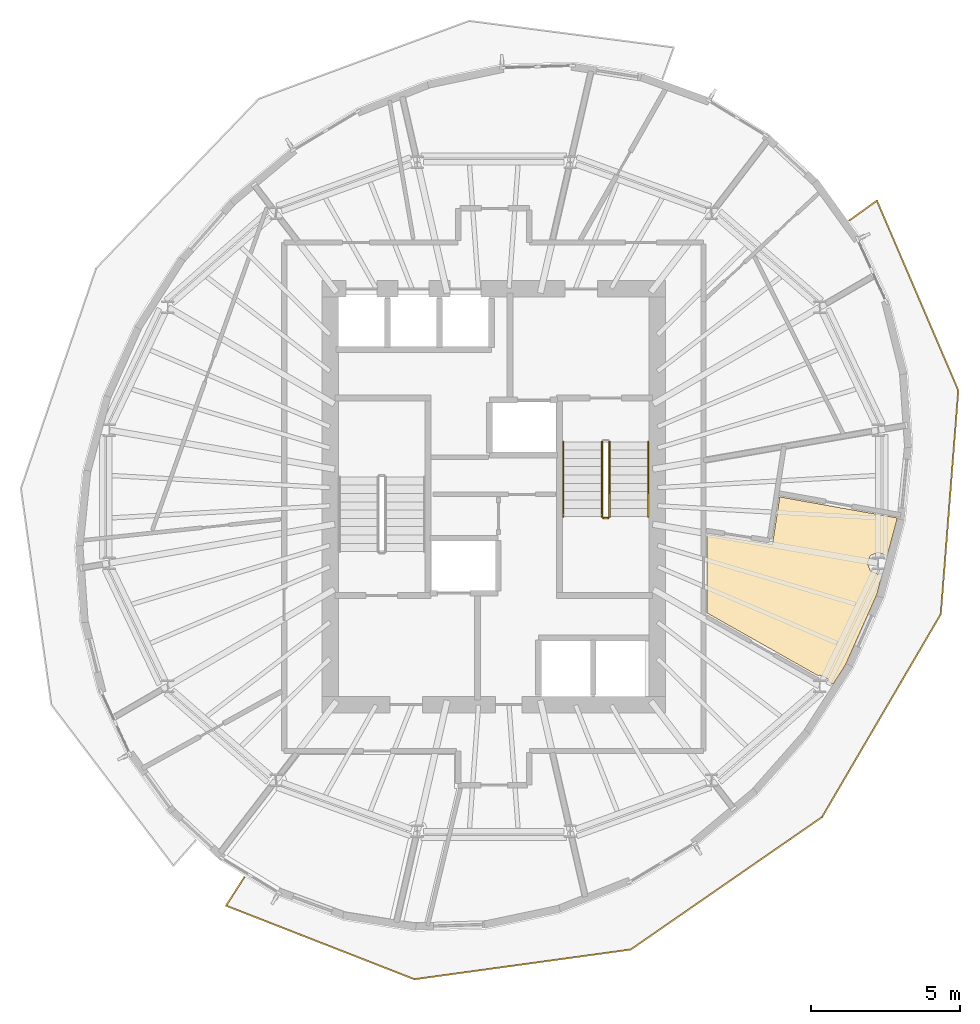
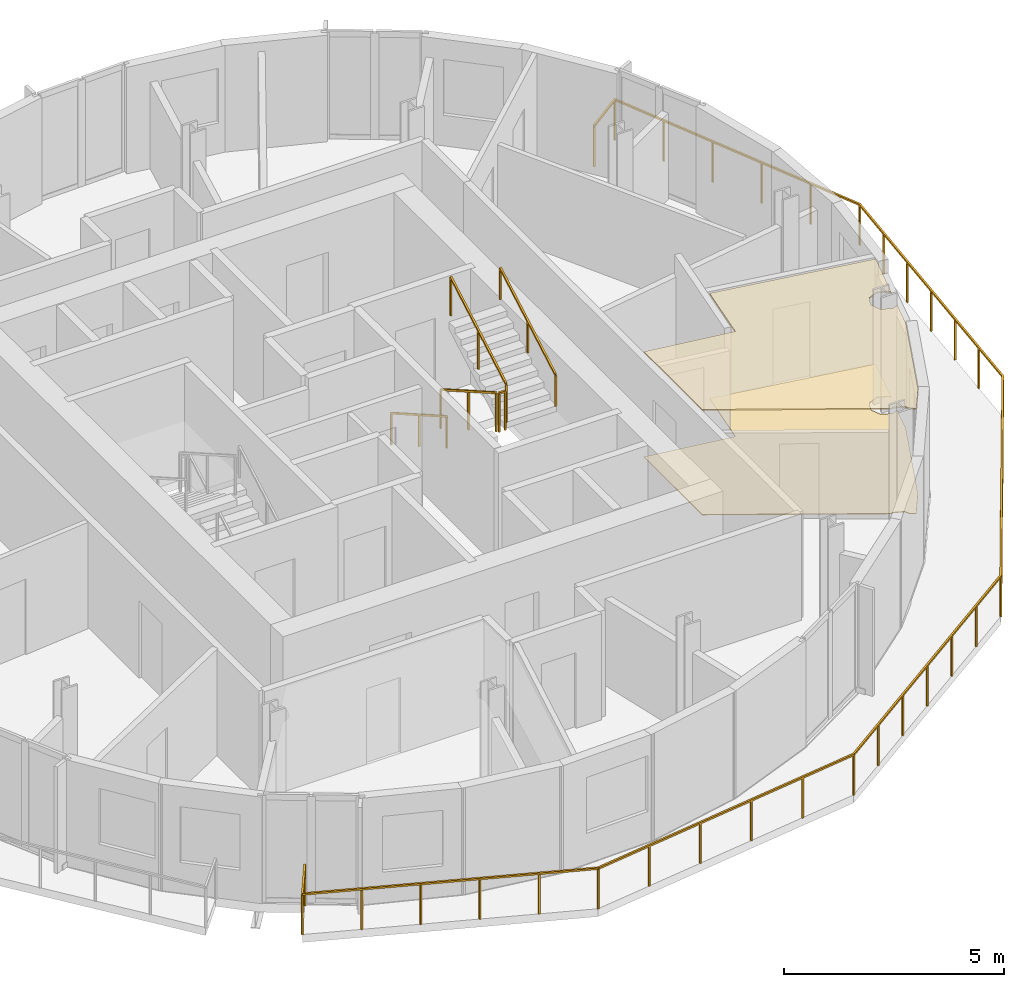
# One storey, part 9 of 11: 6 railings, 2 coverings.
"""IFC4 building model written with IfcOpenShell, lengths in metres."""

from ifc_helpers import new_model, si_unit, direction, frame, origin, origin_2d, place, context, subcontext, project, spatial, polyline, rectangle, outline, extrude, material, layer, layer_set, type_object, element, save


model = new_model("IFC4")

# Units and contexts
model_context = context("Model", 3, precision=1e-05, world=origin(), true_north=direction((0.0, 1.0)))
body_context = subcontext(model_context, "Body", "Model", "MODEL_VIEW")
ifc_project = project(units=[si_unit("LENGTHUNIT", "METRE"), si_unit("AREAUNIT", "SQUARE_METRE"), si_unit("VOLUMEUNIT", "CUBIC_METRE"), si_unit("PLANEANGLEUNIT", "RADIAN"), si_unit("MASSUNIT", "GRAM", prefix="KILO")], contexts=[model_context])

# Site, building, storey
site_placement = place(None, origin())
site = spatial("IfcSite", under=ifc_project, at=site_placement, CompositionType="ELEMENT")
building_placement = place(site_placement, origin())
building = spatial("IfcBuilding", under=site, at=building_placement, Name="Veldorim Arch Residences", CompositionType="ELEMENT")
storey_placement = place(building_placement, frame((0.0, 0.0, 214.239990234375)))
storey = spatial("IfcBuildingStorey", under=building, at=storey_placement, Name="L64", CompositionType="ELEMENT", Elevation=214.239990234375)

# Railings
ifc_material_1 = material(Name="Aluminium", Category="aluminium")
railing_type_1 = type_object("IfcRailingType", Name="Balcony & Terrace Laminated Glass Balustrade 1150", PredefinedType="BALUSTRADE", material=ifc_material_1)
railing_1_placement = place(storey_placement, frame((23.605712890625, 11.197509765625, 0.0)))
element("IfcRailing", 1, at=railing_1_placement, inside=storey, type_object=railing_type_1, Name="L64 crescent balcony safety balustrade B", PredefinedType="BALUSTRADE", context=body_context, shape_type="SweptSolid", body=[
    extrude(rectangle(XDim=0.048095703125, YDim=0.048095703125, at=origin_2d()), frame((0.0, 0.0, 1.1259765625), z_axis=(-0.539866721339, -0.84175051125, 0.0), x_axis=(0.84175051125, -0.539866721339, 0.0)), (0.0, 0.0, 1.0), 1.14990234375),
    extrude(rectangle(XDim=0.048095703125, YDim=0.048095703125, at=origin_2d()), frame((-0.620849609375, -0.968017578125, 1.1259765625), z_axis=(0.931436271677, -0.363904481705, 0.0), x_axis=(0.363904481705, 0.931436271677, 0.0)), (0.0, 0.0, 1.0), 6.808837890625),
    extrude(rectangle(XDim=0.048095703125, YDim=0.048095703125, at=origin_2d()), frame((5.72119140625, -3.44580078125, 1.1259765625), z_axis=(0.990686843164, 0.136160121847, 0.0), x_axis=(-0.136160121847, 0.990686843164, 0.0)), (0.0, 0.0, 1.0), 7.35693359375),
    extrude(rectangle(XDim=0.048095703125, YDim=0.048095703125, at=origin_2d()), frame((13.009521484375, -2.444091796875, 1.1259765625), z_axis=(0.822191069367, 0.569211599893, 0.0), x_axis=(-0.569211599893, 0.822191069367, 0.0)), (0.0, 0.0, 1.0), 7.83154296875),
    extrude(rectangle(XDim=0.048095703125, YDim=0.048095703125, at=origin_2d()), frame((19.448486328125, 2.013671875, 1.1259765625), z_axis=(0.505007263039, 0.863115093297, 0.0), x_axis=(-0.863115093297, 0.505007263039, 0.0)), (0.0, 0.0, 1.0), 7.919189453125),
    extrude(rectangle(XDim=0.048095703125, YDim=0.048095703125, at=origin_2d()), frame((23.44775390625, 8.848876953125, 1.1259765625), z_axis=(0.078070336252, 0.9969478535, 0.0), x_axis=(-0.9969478535, 0.078070336252, 0.0)), (0.0, 0.0, 1.0), 7.55517578125),
    extrude(rectangle(XDim=0.048095703125, YDim=0.048095703125, at=origin_2d()), frame((24.03759765625, 16.381103515625, 1.1259765625), z_axis=(-0.39431319437, 0.918976117614, 0.0), x_axis=(-0.918976117614, -0.39431319437, 0.0)), (0.0, 0.0, 1.0), 6.956298828125),
    extrude(rectangle(XDim=0.048095703125, YDim=0.048095703125, at=origin_2d()), frame((21.294677734375, 22.773681640625, 1.1259765625), z_axis=(-0.811965053518, -0.583706049194, 0.0), x_axis=(0.583706049194, -0.811965053518, 0.0)), (0.0, 0.0, 1.0), 1.14990234375),
    extrude(rectangle(XDim=0.0419921875, YDim=0.0419921875, at=origin_2d()), origin(), (0.0, 0.0, 1.0), 1.101806640625),
    extrude(rectangle(XDim=0.0419921875, YDim=0.0419921875, at=origin_2d()), frame((-0.620849609375, -0.968017578125, 0.0)), (0.0, 0.0, 1.0), 1.101806640625),
    extrude(rectangle(XDim=0.0419921875, YDim=0.0419921875, at=origin_2d()), frame((0.6474609375, -1.463623046875, 0.0)), (0.0, 0.0, 1.0), 1.101806640625),
    extrude(rectangle(XDim=0.0419921875, YDim=0.0419921875, at=origin_2d()), frame((1.916015625, -1.959228515625, 0.0)), (0.0, 0.0, 1.0), 1.101806640625),
    extrude(rectangle(XDim=0.0419921875, YDim=0.0419921875, at=origin_2d()), frame((3.184326171875, -2.45458984375, 0.0)), (0.0, 0.0, 1.0), 1.101806640625),
    extrude(rectangle(XDim=0.0419921875, YDim=0.0419921875, at=origin_2d()), frame((4.452880859375, -2.9501953125, 0.0)), (0.0, 0.0, 1.0), 1.101806640625),
    extrude(rectangle(XDim=0.0419921875, YDim=0.0419921875, at=origin_2d()), frame((5.72119140625, -3.44580078125, 0.0)), (0.0, 0.0, 1.0), 1.101806640625),
    extrude(rectangle(XDim=0.0419921875, YDim=0.0419921875, at=origin_2d()), frame((7.178955078125, -3.245361328125, 0.0)), (0.0, 0.0, 1.0), 1.101806640625),
    extrude(rectangle(XDim=0.0419921875, YDim=0.0419921875, at=origin_2d()), frame((8.636474609375, -3.045166015625, 0.0)), (0.0, 0.0, 1.0), 1.101806640625),
    extrude(rectangle(XDim=0.0419921875, YDim=0.0419921875, at=origin_2d()), frame((10.09423828125, -2.8447265625, 0.0)), (0.0, 0.0, 1.0), 1.101806640625),
    extrude(rectangle(XDim=0.0419921875, YDim=0.0419921875, at=origin_2d()), frame((11.5517578125, -2.64453125, 0.0)), (0.0, 0.0, 1.0), 1.101806640625),
    extrude(rectangle(XDim=0.0419921875, YDim=0.0419921875, at=origin_2d()), frame((13.009521484375, -2.444091796875, 0.0)), (0.0, 0.0, 1.0), 1.101806640625),
    extrude(rectangle(XDim=0.0419921875, YDim=0.0419921875, at=origin_2d()), frame((14.082763671875, -1.701171875, 0.0)), (0.0, 0.0, 1.0), 1.101806640625),
    extrude(rectangle(XDim=0.0419921875, YDim=0.0419921875, at=origin_2d()), frame((15.15576171875, -0.958251953125, 0.0)), (0.0, 0.0, 1.0), 1.101806640625),
    extrude(rectangle(XDim=0.0419921875, YDim=0.0419921875, at=origin_2d()), frame((16.22900390625, -0.21533203125, 0.0)), (0.0, 0.0, 1.0), 1.101806640625),
    extrude(rectangle(XDim=0.0419921875, YDim=0.0419921875, at=origin_2d()), frame((17.30224609375, 0.52783203125, 0.0)), (0.0, 0.0, 1.0), 1.101806640625),
    extrude(rectangle(XDim=0.0419921875, YDim=0.0419921875, at=origin_2d()), frame((18.375244140625, 1.270751953125, 0.0)), (0.0, 0.0, 1.0), 1.101806640625),
    extrude(rectangle(XDim=0.0419921875, YDim=0.0419921875, at=origin_2d()), frame((19.448486328125, 2.013671875, 0.0)), (0.0, 0.0, 1.0), 1.101806640625),
    extrude(rectangle(XDim=0.0419921875, YDim=0.0419921875, at=origin_2d()), frame((20.114990234375, 3.15283203125, 0.0)), (0.0, 0.0, 1.0), 1.101806640625),
    extrude(rectangle(XDim=0.0419921875, YDim=0.0419921875, at=origin_2d()), frame((20.781494140625, 4.2919921875, 0.0)), (0.0, 0.0, 1.0), 1.101806640625),
    extrude(rectangle(XDim=0.0419921875, YDim=0.0419921875, at=origin_2d()), frame((21.4482421875, 5.43115234375, 0.0)), (0.0, 0.0, 1.0), 1.101806640625),
    extrude(rectangle(XDim=0.0419921875, YDim=0.0419921875, at=origin_2d()), frame((22.11474609375, 6.570556640625, 0.0)), (0.0, 0.0, 1.0), 1.101806640625),
    extrude(rectangle(XDim=0.0419921875, YDim=0.0419921875, at=origin_2d()), frame((22.78125, 7.709716796875, 0.0)), (0.0, 0.0, 1.0), 1.101806640625),
    extrude(rectangle(XDim=0.0419921875, YDim=0.0419921875, at=origin_2d()), frame((23.44775390625, 8.848876953125, 0.0)), (0.0, 0.0, 1.0), 1.101806640625),
    extrude(rectangle(XDim=0.0419921875, YDim=0.0419921875, at=origin_2d()), frame((23.546142578125, 10.104248046875, 0.0)), (0.0, 0.0, 1.0), 1.101806640625),
    extrude(rectangle(XDim=0.0419921875, YDim=0.0419921875, at=origin_2d()), frame((23.644287109375, 11.359619140625, 0.0)), (0.0, 0.0, 1.0), 1.101806640625),
    extrude(rectangle(XDim=0.0419921875, YDim=0.0419921875, at=origin_2d()), frame((23.74267578125, 12.614990234375, 0.0)), (0.0, 0.0, 1.0), 1.101806640625),
    extrude(rectangle(XDim=0.0419921875, YDim=0.0419921875, at=origin_2d()), frame((23.841064453125, 13.870361328125, 0.0)), (0.0, 0.0, 1.0), 1.101806640625),
    extrude(rectangle(XDim=0.0419921875, YDim=0.0419921875, at=origin_2d()), frame((23.939208984375, 15.125732421875, 0.0)), (0.0, 0.0, 1.0), 1.101806640625),
    extrude(rectangle(XDim=0.0419921875, YDim=0.0419921875, at=origin_2d()), frame((24.03759765625, 16.381103515625, 0.0)), (0.0, 0.0, 1.0), 1.101806640625),
    extrude(rectangle(XDim=0.0419921875, YDim=0.0419921875, at=origin_2d()), frame((23.489013671875, 17.65966796875, 0.0)), (0.0, 0.0, 1.0), 1.101806640625),
    extrude(rectangle(XDim=0.0419921875, YDim=0.0419921875, at=origin_2d()), frame((22.9404296875, 18.938232421875, 0.0)), (0.0, 0.0, 1.0), 1.101806640625),
    extrude(rectangle(XDim=0.0419921875, YDim=0.0419921875, at=origin_2d()), frame((22.391845703125, 20.216552734375, 0.0)), (0.0, 0.0, 1.0), 1.101806640625),
    extrude(rectangle(XDim=0.0419921875, YDim=0.0419921875, at=origin_2d()), frame((21.84326171875, 21.4951171875, 0.0)), (0.0, 0.0, 1.0), 1.101806640625),
    extrude(rectangle(XDim=0.0419921875, YDim=0.0419921875, at=origin_2d()), frame((21.294677734375, 22.773681640625, 0.0)), (0.0, 0.0, 1.0), 1.101806640625),
    extrude(rectangle(XDim=0.0419921875, YDim=0.0419921875, at=origin_2d()), frame((20.361083984375, 22.1025390625, 0.0)), (0.0, 0.0, 1.0), 1.101806640625),
])
ifc_material_2 = material(Name="Steel S355", Category="steel")
railing_type_2 = type_object("IfcRailingType", Name="Galvanised Steel Stair Safety Guardrail 1100", PredefinedType="GUARDRAIL", material=ifc_material_2)
railing_2_placement = place(storey_placement, frame((35.639892578125, 25.85009765625, 0.159912109375)))
element("IfcRailing", 2, at=railing_2_placement, inside=storey, type_object=railing_type_2, Name="L64 ST-2 stair guard 1", PredefinedType="GUARDRAIL", context=body_context, shape_type="SweptSolid", body=[
    extrude(rectangle(XDim=0.048095703125, YDim=0.048095703125, at=origin_2d()), frame((0.0, 0.0, 1.076171875), z_axis=(0.0, -0.868217259934, 0.496184229447), x_axis=(1.0, 0.0, 0.0)), (0.0, 0.0, 1.0), 2.902587890625),
    extrude(rectangle(XDim=0.0419921875, YDim=0.0419921875, at=origin_2d()), origin(), (0.0, 0.0, 1.0), 1.052001953125),
    extrude(rectangle(XDim=0.0419921875, YDim=0.0419921875, at=origin_2d()), frame((0.0, -1.260009765625, 0.72021484375)), (0.0, 0.0, 1.0), 1.052001953125),
    extrude(rectangle(XDim=0.0419921875, YDim=0.0419921875, at=origin_2d()), frame((0.0, -2.52001953125, 1.440185546875)), (0.0, 0.0, 1.0), 1.052001953125),
])
railing_3_placement = place(storey_placement, frame((35.68994140625, 23.280029296875, 1.60009765625)))
element("IfcRailing", 3, at=railing_3_placement, inside=storey, type_object=railing_type_2, Name="L64 ST-2 stair guard 2", PredefinedType="GUARDRAIL", context=body_context, shape_type="SweptSolid", body=[
    extrude(rectangle(XDim=0.048095703125, YDim=0.048095703125, at=origin_2d()), frame((0.0, 0.0, 1.076171875), z_axis=(1.0, 0.0, 0.0), x_axis=(0.0, 1.0, 0.0)), (0.0, 0.0, 1.0), 0.16015625),
    extrude(rectangle(XDim=0.0419921875, YDim=0.0419921875, at=origin_2d()), origin(), (0.0, 0.0, 1.0), 1.052001953125),
    extrude(rectangle(XDim=0.0419921875, YDim=0.0419921875, at=origin_2d()), frame((0.16015625, 0.0, 0.0)), (0.0, 0.0, 1.0), 1.052001953125),
])
railing_4_placement = place(storey_placement, frame((35.89990234375, 23.330078125, 1.760009765625)))
element("IfcRailing", 4, at=railing_4_placement, inside=storey, type_object=railing_type_2, Name="L64 ST-2 stair guard 3", PredefinedType="GUARDRAIL", context=body_context, shape_type="SweptSolid", body=[
    extrude(rectangle(XDim=0.048095703125, YDim=0.048095703125, at=origin_2d()), frame((0.0, 0.0, 1.076171875), z_axis=(0.0, 0.868253494771, 0.496120820787), x_axis=(-1.0, 0.0, 0.0)), (0.0, 0.0, 1.0), 2.90234375),
    extrude(rectangle(XDim=0.0419921875, YDim=0.0419921875, at=origin_2d()), origin(), (0.0, 0.0, 1.0), 1.052001953125),
    extrude(rectangle(XDim=0.0419921875, YDim=0.0419921875, at=origin_2d()), frame((0.0, 1.260009765625, 0.719970703125)), (0.0, 0.0, 1.0), 1.052001953125),
    extrude(rectangle(XDim=0.0419921875, YDim=0.0419921875, at=origin_2d()), frame((0.0, 2.52001953125, 1.43994140625)), (0.0, 0.0, 1.0), 1.052001953125),
])

# Coverings
ifc_material_3 = material(Name="Acoustic Gypsum & Mineral Fibre", Category="gypsum")
ifc_layer_1 = layer(ifc_material_3, 0.034912109375, Name="Perforated Acoustic Mineral-Fibre Ceiling 35")
ifc_layer_set_1 = layer_set([ifc_layer_1], Name="Acoustic Gypsum & Mineral Fibre")
covering_type_1 = type_object("IfcCoveringType", Name="Perforated Acoustic Mineral-Fibre Ceiling 35", PredefinedType="CEILING", material=ifc_layer_set_1)
covering_1_placement = place(storey_placement, frame((0.0, 0.0, 2.905029296875)))
element("IfcCovering", 5, at=covering_1_placement, inside=storey, type_object=covering_type_1, Name="L64 acoustic suspended ceiling 02", PredefinedType="CEILING", context=body_context, shape_type="SweptSolid", body=[
    extrude(outline(polyline([(44.899169921875, 20.720703125), (43.839599609375, 18.337158203125), (43.423095703125, 17.689208984375), (43.28466796875, 17.767578125), (43.236572265625, 17.88330078125), (42.975341796875, 17.991455078125), (42.9248046875, 17.970703125), (39.179931640625, 20.084716796875), (39.179931640625, 22.732421875), (41.381103515625, 22.390625), (41.6298828125, 23.992431640625), (45.5732421875, 23.286376953125), (45.564697265625, 23.202880859375), (45.232177734375, 21.96240234375), (45.20751953125, 22.021484375), (44.9462890625, 22.1298828125), (44.685302734375, 22.021484375), (44.576904296875, 21.760498046875), (44.685302734375, 21.499267578125), (44.9462890625, 21.39111328125), (45.095458984375, 21.452880859375), (44.899169921875, 20.720703125)])), origin(), (0.0, 0.0, 1.0), 0.034912109375),
])
ifc_material_4 = material(Name="Porcelain Ceramic Tile", Category="ceramic")
ifc_layer_2 = layer(ifc_material_4, 0.02001953125, Name="Slip-Resistant Porcelain & Vinyl Floor Finish 20")
ifc_layer_set_2 = layer_set([ifc_layer_2], Name="Porcelain Ceramic Tile")
covering_type_2 = type_object("IfcCoveringType", Name="Slip-Resistant Porcelain & Vinyl Floor Finish 20", PredefinedType="FLOORING", material=ifc_layer_set_2)
covering_2_placement = place(storey_placement, origin())
element("IfcCovering", 6, at=covering_2_placement, inside=storey, type_object=covering_type_2, Name="L64 porcelain floor finish 02", PredefinedType="FLOORING", context=body_context, shape_type="SweptSolid", body=[
    extrude(outline(polyline([(44.899169921875, 20.720703125), (43.839599609375, 18.337158203125), (43.423095703125, 17.689208984375), (43.28466796875, 17.767578125), (43.236572265625, 17.88330078125), (42.975341796875, 17.991455078125), (42.9248046875, 17.970703125), (39.179931640625, 20.084716796875), (39.179931640625, 22.732421875), (41.381103515625, 22.390625), (41.6298828125, 23.992431640625), (45.5732421875, 23.286376953125), (45.564697265625, 23.202880859375), (45.232177734375, 21.96240234375), (45.20751953125, 22.021484375), (44.9462890625, 22.1298828125), (44.685302734375, 22.021484375), (44.576904296875, 21.760498046875), (44.685302734375, 21.499267578125), (44.9462890625, 21.39111328125), (45.095458984375, 21.452880859375), (44.899169921875, 20.720703125)])), origin(), (0.0, 0.0, 1.0), 0.02001953125),
])

# Railings
ifc_material_5 = material(Name="Stainless Steel", Category="steel")
railing_type_3 = type_object("IfcRailingType", Name="Tubular Steel Continuous Wall Handrail 900", PredefinedType="HANDRAIL", material=ifc_material_5)
railing_5_placement = place(storey_placement, frame((34.340087890625, 25.85009765625, 0.159912109375)))
element("IfcRailing", 7, at=railing_5_placement, inside=storey, type_object=railing_type_3, Name="L64 ST-2 stair handrail 1", PredefinedType="HANDRAIL", context=body_context, shape_type="SweptSolid", body=[
    extrude(rectangle(XDim=0.048095703125, YDim=0.048095703125, at=origin_2d()), frame((0.0, 0.0, 0.8759765625), z_axis=(0.0, -0.868217259934, 0.496184229447), x_axis=(1.0, 0.0, 0.0)), (0.0, 0.0, 1.0), 2.902587890625),
    extrude(rectangle(XDim=0.0419921875, YDim=0.0419921875, at=origin_2d()), origin(), (0.0, 0.0, 1.0), 0.851806640625),
    extrude(rectangle(XDim=0.0419921875, YDim=0.0419921875, at=origin_2d()), frame((0.0, -1.260009765625, 0.72021484375)), (0.0, 0.0, 1.0), 0.851806640625),
    extrude(rectangle(XDim=0.0419921875, YDim=0.0419921875, at=origin_2d()), frame((0.0, -2.52001953125, 1.440185546875)), (0.0, 0.0, 1.0), 0.851806640625),
])
railing_6_placement = place(storey_placement, frame((37.199951171875, 23.330078125, 1.760009765625)))
element("IfcRailing", 8, at=railing_6_placement, inside=storey, type_object=railing_type_3, Name="L64 ST-2 stair handrail 2", PredefinedType="HANDRAIL", context=body_context, shape_type="SweptSolid", body=[
    extrude(rectangle(XDim=0.048095703125, YDim=0.048095703125, at=origin_2d()), frame((0.0, 0.0, 0.8759765625), z_axis=(0.0, 0.868253494771, 0.496120820787), x_axis=(-1.0, 0.0, 0.0)), (0.0, 0.0, 1.0), 2.90234375),
    extrude(rectangle(XDim=0.0419921875, YDim=0.0419921875, at=origin_2d()), origin(), (0.0, 0.0, 1.0), 0.851806640625),
    extrude(rectangle(XDim=0.0419921875, YDim=0.0419921875, at=origin_2d()), frame((0.0, 1.260009765625, 0.719970703125)), (0.0, 0.0, 1.0), 0.851806640625),
    extrude(rectangle(XDim=0.0419921875, YDim=0.0419921875, at=origin_2d()), frame((0.0, 2.52001953125, 1.43994140625)), (0.0, 0.0, 1.0), 0.851806640625),
])

save(model, "model.ifc")
